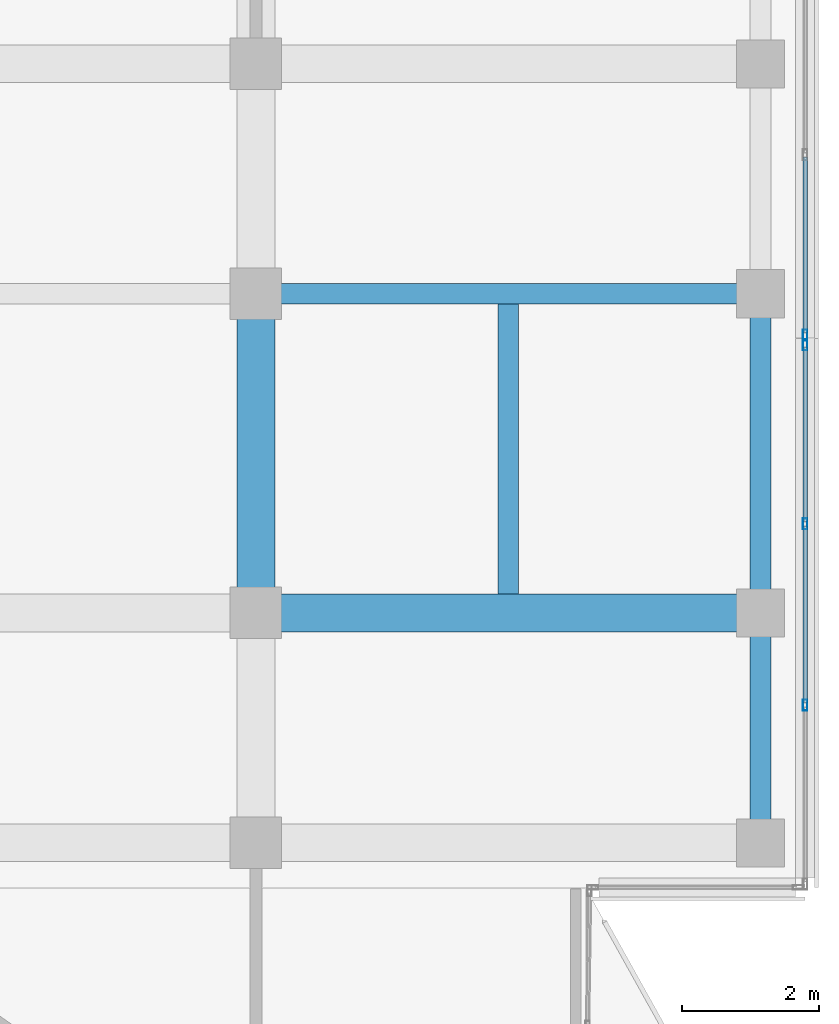
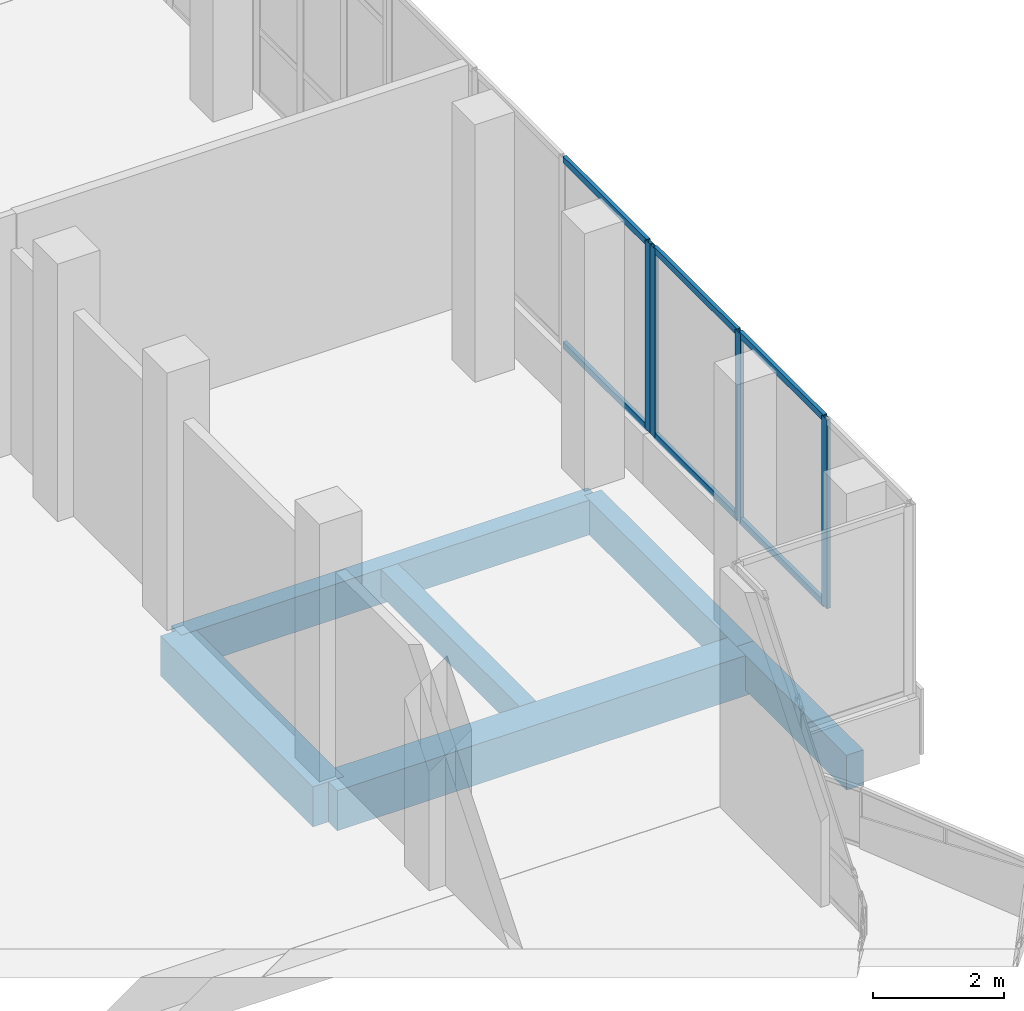
# One storey, part 101 of 155: 10 members, 6 beams, 2 elements without a shape of their own.
"""IFC4 building model written with IfcOpenShell, lengths in metres."""

from ifc_helpers import new_model, si_unit, direction, frame, origin, origin_2d, place, context, subcontext, project, spatial, rectangle, hollow_rectangle, extrude, material, material_profile, profile_set, type_object, element, aggregate, save


model = new_model("IFC4")

# Units and contexts
model_context = context("Model", 3, precision=1e-05, world=origin(), true_north=direction((0.0, 1.0)))
body_context = subcontext(model_context, "Body", "Model", "MODEL_VIEW")
ifc_project = project(units=[si_unit("LENGTHUNIT", "METRE"), si_unit("AREAUNIT", "SQUARE_METRE"), si_unit("VOLUMEUNIT", "CUBIC_METRE"), si_unit("PLANEANGLEUNIT", "RADIAN"), si_unit("MASSUNIT", "GRAM", prefix="KILO")], contexts=[model_context])

# Site, building, storey
site_placement = place(None, origin())
site = spatial("IfcSite", under=ifc_project, at=site_placement, CompositionType="ELEMENT")
building_placement = place(site_placement, origin())
building = spatial("IfcBuilding", under=site, at=building_placement, Name="Selatvlak General Hospital", CompositionType="ELEMENT")
storey_placement = place(building_placement, frame((0.0, 0.0, 10.199951171875)))
storey = spatial("IfcBuildingStorey", under=building, at=storey_placement, Name="L02", CompositionType="ELEMENT", Elevation=10.199951171875)

# Beams
ifc_material_1 = material(Name="Concrete C40/50", Category="concrete")
ifc_material_profile_1 = material_profile(ifc_material_1, rectangle(XDim=0.550048828125, YDim=0.75, at=origin_2d()), Name="RC-BM 550x750")
ifc_profile_set_1 = profile_set([ifc_material_profile_1], Name="Concrete C40/50")
beam_type_1 = type_object("IfcBeamType", Name="BM-G02", PredefinedType="BEAM", material=ifc_profile_set_1)
beam_1_placement = place(storey_placement, frame((174.0, 68.0, -0.72998046875), z_axis=(1.0, 0.0, 0.0), x_axis=(0.0, 1.0, 0.0)))
element("IfcBeam", 1, at=beam_1_placement, inside=storey, type_object=beam_type_1, Name="Beam BMR-L02-0789", PredefinedType="BEAM", context=body_context, shape_type="SweptSolid", body=[
    extrude(rectangle(XDim=0.550048828125, YDim=0.75, at=origin_2d()), origin(), (0.0, 0.0, 1.0), 7.35009765625),
])
beam_2_placement = place(storey_placement, frame((174.0, 68.0, -0.72998046875), z_axis=(0.0, 1.0, 0.0), x_axis=(-1.0, 0.0, 0.0)))
element("IfcBeam", 2, at=beam_2_placement, inside=storey, type_object=beam_type_1, Name="Beam BMR-L02-1062", PredefinedType="BEAM", context=body_context, shape_type="SweptSolid", body=[
    extrude(rectangle(XDim=0.550048828125, YDim=0.75, at=origin_2d()), origin(), (0.0, 0.0, 1.0), 4.64990234375),
])
ifc_material_profile_2 = material_profile(ifc_material_1, rectangle(XDim=0.300048828125, YDim=0.5, at=origin_2d()), Name="RC-BM 300x500")
ifc_profile_set_2 = profile_set([ifc_material_profile_2], Name="Concrete C40/50")
beam_type_2 = type_object("IfcBeamType", Name="BM-J02", PredefinedType="JOIST", material=ifc_profile_set_2)
beam_3_placement = place(storey_placement, frame((177.675048828125, 68.27490234375, -0.60498046875), z_axis=(0.0, 1.0, 0.0), x_axis=(-1.0, 0.0, 0.0)))
element("IfcBeam", 3, at=beam_3_placement, inside=storey, type_object=beam_type_2, Name="Beam BMR-L02-1083", PredefinedType="JOIST", context=body_context, shape_type="SweptSolid", body=[
    extrude(rectangle(XDim=0.300048828125, YDim=0.5, at=origin_2d()), origin(), (0.0, 0.0, 1.0), 4.22509765625),
])
ifc_material_profile_3 = material_profile(ifc_material_1, rectangle(XDim=0.300048828125, YDim=0.64990234375, at=origin_2d()), Name="RC-SP 300x650")
ifc_profile_set_3 = profile_set([ifc_material_profile_3], Name="Concrete C40/50")
beam_type_3 = type_object("IfcBeamType", Name="BM-SP1", PredefinedType="SPANDREL", material=ifc_profile_set_3)
beam_4_placement = place(storey_placement, frame((174.0, 72.64990234375, -0.679931640625), z_axis=(1.0, 0.0, 0.0), x_axis=(0.0, 1.0, 0.0)))
element("IfcBeam", 4, at=beam_4_placement, inside=storey, type_object=beam_type_3, Name="Beam BMR-L02-0797", PredefinedType="SPANDREL", context=body_context, shape_type="SweptSolid", body=[
    extrude(rectangle(XDim=0.300048828125, YDim=0.64990234375, at=origin_2d()), origin(), (0.0, 0.0, 1.0), 7.35009765625),
])
beam_5_placement = place(storey_placement, frame((181.35009765625, 64.64990234375, -0.679931640625), z_axis=(0.0, 1.0, 0.0), x_axis=(-1.0, 0.0, 0.0)))
element("IfcBeam", 5, at=beam_5_placement, inside=storey, type_object=beam_type_3, Name="Beam BMR-L02-1071", PredefinedType="SPANDREL", context=body_context, shape_type="SweptSolid", body=[
    extrude(rectangle(XDim=0.300048828125, YDim=0.64990234375, at=origin_2d()), origin(), (0.0, 0.0, 1.0), 3.35009765625),
])
beam_6_placement = place(storey_placement, frame((181.35009765625, 68.0, -0.679931640625), z_axis=(0.0, 1.0, 0.0), x_axis=(-1.0, 0.0, 0.0)))
element("IfcBeam", 6, at=beam_6_placement, inside=storey, type_object=beam_type_3, Name="Beam BMR-L02-1072", PredefinedType="SPANDREL", context=body_context, shape_type="SweptSolid", body=[
    extrude(rectangle(XDim=0.300048828125, YDim=0.64990234375, at=origin_2d()), origin(), (0.0, 0.0, 1.0), 4.64990234375),
])

# Curtain wall, member
ifc_material_2 = material(Name="Solar-control Low-E double glazing", Category="glass")
curtain_wall_type_1 = type_object("IfcCurtainWallType", Name="CW-CW-01", PredefinedType="USERDEFINED", material=ifc_material_2)
curtain_wall_1_placement = place(storey_placement, origin())
curtain_wall_1 = element("IfcCurtainWall", 7, at=curtain_wall_1_placement, inside=storey, type_object=curtain_wall_type_1, Name="Glazed facade curtain wall CW-L02-0268", ObjectType="UNITISED CURTAIN WALL", PredefinedType="USERDEFINED")
ifc_material_3 = material(Name="Dark anodised aluminium mullion", Category="aluminium")
ifc_material_profile_4 = material_profile(ifc_material_3, hollow_rectangle(XDim=0.06494140625, YDim=0.159912109375, WallThickness=0.00390625, at=origin_2d()), Name="AL-MUL 65x160x4")
ifc_profile_set_4 = profile_set([ifc_material_profile_4], Name="Dark anodised aluminium mullion")
member_type_1 = type_object("IfcMemberType", Name="CWM-01", PredefinedType="MULLION", material=ifc_profile_set_4)
member_1_placement = place(storey_placement, frame((182.0, 72.048583984375, 0.93994140625), z_axis=(0.0, 0.0, 1.0), x_axis=(1.0, 0.0, 0.0)))
member_1 = element("IfcMember", 8, at=member_1_placement, type_object=member_type_1, Name="CW-01 mullion 4", PredefinedType="MULLION", context=body_context, shape_type="SweptSolid", body=[
    extrude(hollow_rectangle(XDim=0.06494140625, YDim=0.159912109375, WallThickness=0.00390625, at=origin_2d()), origin(), (0.0, 0.0, 1.0), 3.52001953125),
])

# Curtain wall, members
curtain_wall_type_2 = type_object("IfcCurtainWallType", Name="CW-CW-02", PredefinedType="USERDEFINED", material=ifc_material_2)
curtain_wall_2_placement = place(storey_placement, origin())
curtain_wall_2 = element("IfcCurtainWall", 9, at=curtain_wall_2_placement, inside=storey, type_object=curtain_wall_type_2, Name="Glazed facade curtain wall CW-L02-0269", ObjectType="UNITISED CURTAIN WALL", PredefinedType="USERDEFINED")
member_2_placement = place(storey_placement, frame((182.0, 71.903564453125, 0.93994140625), z_axis=(0.0, 0.0, 1.0), x_axis=(1.0, 0.0, 0.0)))
member_2 = element("IfcMember", 10, at=member_2_placement, type_object=member_type_1, Name="CW-02 mullion 1", PredefinedType="MULLION", context=body_context, shape_type="SweptSolid", body=[
    extrude(hollow_rectangle(XDim=0.06494140625, YDim=0.159912109375, WallThickness=0.00390625, at=origin_2d()), origin(), (0.0, 0.0, 1.0), 3.52001953125),
])
member_3_placement = place(storey_placement, frame((182.0, 69.2958984375, 0.93994140625), z_axis=(0.0, 0.0, 1.0), x_axis=(1.0, 0.0, 0.0)))
member_3 = element("IfcMember", 11, at=member_3_placement, type_object=member_type_1, Name="CW-02 mullion 2", PredefinedType="MULLION", context=body_context, shape_type="SweptSolid", body=[
    extrude(hollow_rectangle(XDim=0.06494140625, YDim=0.159912109375, WallThickness=0.00390625, at=origin_2d()), origin(), (0.0, 0.0, 1.0), 3.52001953125),
])
member_4_placement = place(storey_placement, frame((182.0, 66.656005859375, 0.93994140625), z_axis=(0.0, 0.0, 1.0), x_axis=(1.0, 0.0, 0.0)))
member_4 = element("IfcMember", 12, at=member_4_placement, type_object=member_type_1, Name="CW-02 mullion 3", PredefinedType="MULLION", context=body_context, shape_type="SweptSolid", body=[
    extrude(hollow_rectangle(XDim=0.06494140625, YDim=0.159912109375, WallThickness=0.00390625, at=origin_2d()), origin(), (0.0, 0.0, 1.0), 3.52001953125),
])

# Member
ifc_material_profile_5 = material_profile(ifc_material_3, hollow_rectangle(XDim=0.06494140625, YDim=0.1201171875, WallThickness=0.00390625, at=origin_2d()), Name="AL-TRN 65x120x4")
ifc_profile_set_5 = profile_set([ifc_material_profile_5], Name="Dark anodised aluminium mullion")
member_type_2 = type_object("IfcMemberType", Name="CWT-01", PredefinedType="USERDEFINED", material=ifc_profile_set_5)
member_5_placement = place(storey_placement, frame((182.0, 74.64013671875, 0.97265625), z_axis=(0.0, -1.0, 0.0), x_axis=(1.0, 0.0, 0.0)))
member_5 = element("IfcMember", 13, at=member_5_placement, type_object=member_type_2, Name="CW-01 transom 3.1", ObjectType="TRANSOM", PredefinedType="USERDEFINED", context=body_context, shape_type="SweptSolid", body=[
    extrude(hollow_rectangle(XDim=0.06494140625, YDim=0.1201171875, WallThickness=0.00390625, at=origin_2d()), origin(), (0.0, 0.0, 1.0), 2.55908203125),
])

member_6_placement = place(storey_placement, frame((182.0, 74.64013671875, 4.427490234375), z_axis=(0.0, -1.0, 0.0), x_axis=(1.0, 0.0, 0.0)))
member_6 = element("IfcMember", 14, at=member_6_placement, type_object=member_type_2, Name="CW-01 transom 3.2", ObjectType="TRANSOM", PredefinedType="USERDEFINED", context=body_context, shape_type="SweptSolid", body=[
    extrude(hollow_rectangle(XDim=0.06494140625, YDim=0.1201171875, WallThickness=0.00390625, at=origin_2d()), origin(), (0.0, 0.0, 1.0), 2.55908203125),
])

aggregate(curtain_wall_1, [member_1, member_5, member_6])

member_7_placement = place(storey_placement, frame((182.0, 71.87109375, 0.97265625), z_axis=(0.0, -1.0, 0.0), x_axis=(1.0, 0.0, 0.0)))
member_7 = element("IfcMember", 15, at=member_7_placement, type_object=member_type_2, Name="CW-02 transom 1.1", ObjectType="TRANSOM", PredefinedType="USERDEFINED", context=body_context, shape_type="SweptSolid", body=[
    extrude(hollow_rectangle(XDim=0.06494140625, YDim=0.1201171875, WallThickness=0.00390625, at=origin_2d()), origin(), (0.0, 0.0, 1.0), 2.54248046875),
])

member_8_placement = place(storey_placement, frame((182.0, 71.87109375, 4.427490234375), z_axis=(0.0, -1.0, 0.0), x_axis=(1.0, 0.0, 0.0)))
member_8 = element("IfcMember", 16, at=member_8_placement, type_object=member_type_2, Name="CW-02 transom 1.2", ObjectType="TRANSOM", PredefinedType="USERDEFINED", context=body_context, shape_type="SweptSolid", body=[
    extrude(hollow_rectangle(XDim=0.06494140625, YDim=0.1201171875, WallThickness=0.00390625, at=origin_2d()), origin(), (0.0, 0.0, 1.0), 2.54248046875),
])

member_9_placement = place(storey_placement, frame((182.0, 69.263427734375, 0.97265625), z_axis=(0.0, -1.0, 0.0), x_axis=(1.0, 0.0, 0.0)))
member_9 = element("IfcMember", 17, at=member_9_placement, type_object=member_type_2, Name="CW-02 transom 2.1", ObjectType="TRANSOM", PredefinedType="USERDEFINED", context=body_context, shape_type="SweptSolid", body=[
    extrude(hollow_rectangle(XDim=0.06494140625, YDim=0.1201171875, WallThickness=0.00390625, at=origin_2d()), origin(), (0.0, 0.0, 1.0), 2.574951171875),
])

member_10_placement = place(storey_placement, frame((182.0, 69.263427734375, 4.427490234375), z_axis=(0.0, -1.0, 0.0), x_axis=(1.0, 0.0, 0.0)))
member_10 = element("IfcMember", 18, at=member_10_placement, type_object=member_type_2, Name="CW-02 transom 2.2", ObjectType="TRANSOM", PredefinedType="USERDEFINED", context=body_context, shape_type="SweptSolid", body=[
    extrude(hollow_rectangle(XDim=0.06494140625, YDim=0.1201171875, WallThickness=0.00390625, at=origin_2d()), origin(), (0.0, 0.0, 1.0), 2.574951171875),
])

aggregate(curtain_wall_2, [member_2, member_3, member_4, member_7, member_8, member_9, member_10])

save(model, "model.ifc")
